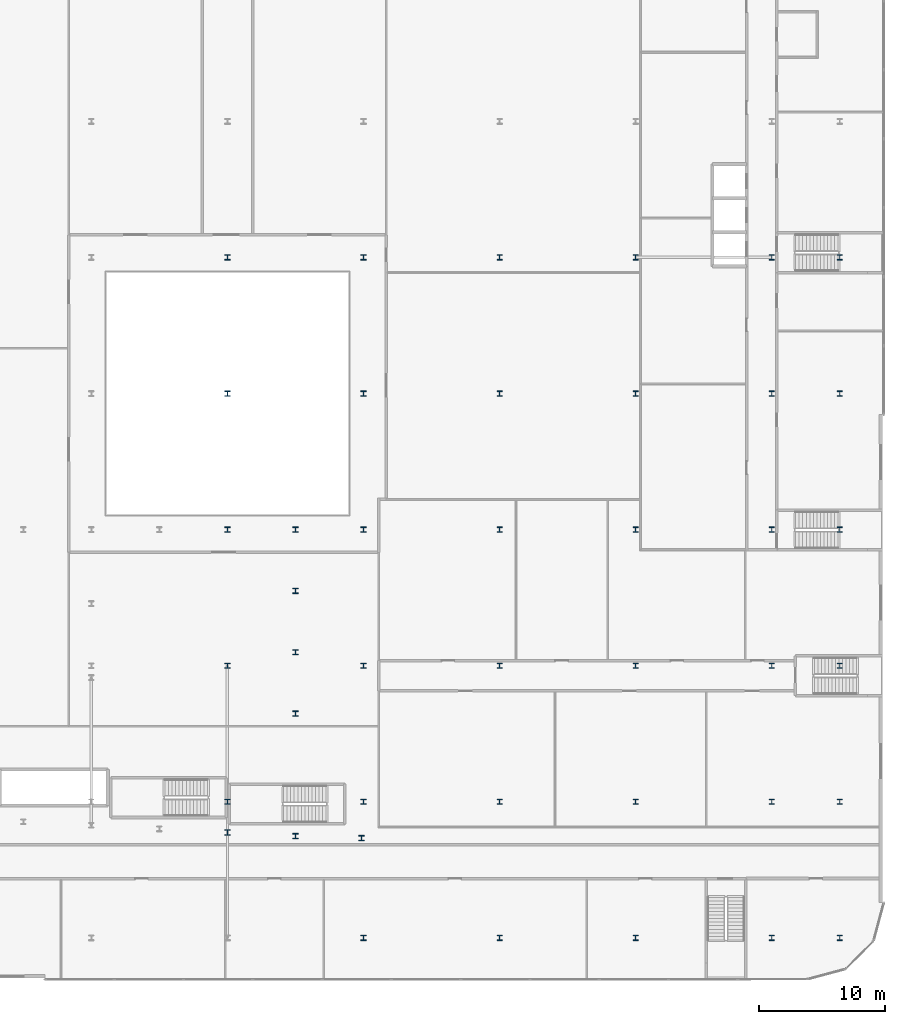
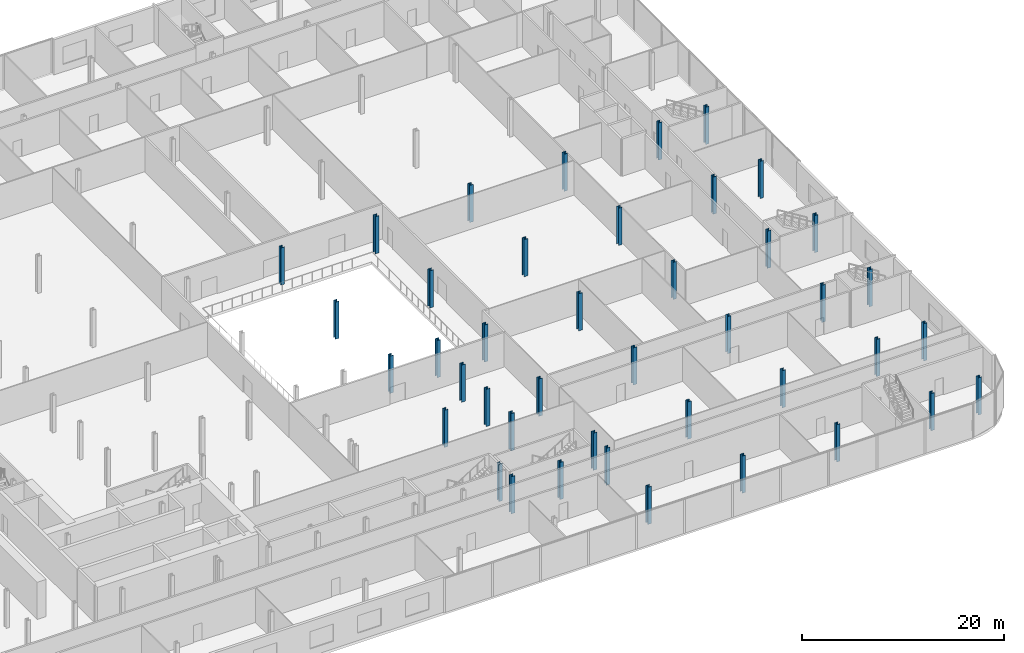
# One storey, part 3 of 47: 42 columns.
"""IFC4 building model written with IfcOpenShell, lengths in metres."""

from ifc_helpers import new_model, si_unit, direction, frame, origin, origin_2d, place, context, subcontext, project, spatial, i_section, extrude, material, material_profile, profile_set, type_object, element, save


model = new_model("IFC4")

# Units and contexts
model_context = context("Model", 3, precision=1e-05, world=origin(), true_north=direction((0.0, 1.0)))
body_context = subcontext(model_context, "Body", "Model", "MODEL_VIEW")
ifc_project = project(units=[si_unit("LENGTHUNIT", "METRE"), si_unit("AREAUNIT", "SQUARE_METRE"), si_unit("VOLUMEUNIT", "CUBIC_METRE"), si_unit("PLANEANGLEUNIT", "RADIAN"), si_unit("MASSUNIT", "GRAM", prefix="KILO")], contexts=[model_context])

# Site, building, storey
site_placement = place(None, origin())
site = spatial("IfcSite", under=ifc_project, at=site_placement, CompositionType="ELEMENT")
building_placement = place(site_placement, origin())
building = spatial("IfcBuilding", under=site, at=building_placement, Name="Kheshtan School and Residences Tower", CompositionType="ELEMENT")
storey_placement = place(building_placement, frame((0.0, 0.0, 12.5)))
storey = spatial("IfcBuildingStorey", under=building, at=storey_placement, Name="L02", CompositionType="ELEMENT", Elevation=12.5)

# Columns
ifc_material = material(Name="Steel ASTM A992 Grade 50", Category="steel")
ifc_material_profile = material_profile(ifc_material, i_section(OverallWidth=0.408935546875, OverallDepth=0.425048828125, WebThickness=0.03271484375, FlangeThickness=0.052490234375, FilletRadius=0.0126953125, at=origin_2d()), Name="W360x421")
ifc_profile_set = profile_set([ifc_material_profile], Name="Steel ASTM A992 Grade 50")
column_type = type_object("IfcColumnType", Name="Column PC2 W360x421 ASTM A992 Grade 50", PredefinedType="COLUMN", material=ifc_profile_set)
for number, where, z_axis, x_axis, name in (
    (1, (90.800048828125, 13.199951171875, 0.0), (0.0, 0.0, 1.0), (1.0, 0.0, 0.0), "Column P-008"),
    (2, (101.60009765625, 13.199951171875, 0.0), (0.0, 0.0, 1.0), (1.0, 0.0, 0.0), "Column P-009"),
    (3, (112.39990234375, 13.199951171875, 0.0), (0.0, 0.0, 1.0), (1.0, 0.0, 0.0), "Column P-010"),
    (4, (123.199951171875, 13.199951171875, 0.0), (0.0, 0.0, 1.0), (1.0, 0.0, 0.0), "Column P-011"),
    (5, (128.60009765625, 13.199951171875, 0.0), (0.0, 0.0, 1.0), (1.0, 0.0, 0.0), "Column P-012"),
    (6, (80.0, 24.0, 0.0), (0.0, 0.0, 1.0), (1.0, 0.0, 0.0), "Column P-019"),
    (7, (90.800048828125, 24.0, 0.0), (0.0, 0.0, 1.0), (1.0, 0.0, 0.0), "Column P-020"),
    (8, (101.60009765625, 24.0, 0.0), (0.0, 0.0, 1.0), (1.0, 0.0, 0.0), "Column P-021"),
    (9, (112.39990234375, 24.0, 0.0), (0.0, 0.0, 1.0), (1.0, 0.0, 0.0), "Column P-022"),
    (10, (123.199951171875, 24.0, 0.0), (0.0, 0.0, 1.0), (1.0, 0.0, 0.0), "Column P-023"),
    (11, (128.60009765625, 24.0, 0.0), (0.0, 0.0, 1.0), (1.0, 0.0, 0.0), "Column P-024"),
    (12, (80.0, 34.800048828125, 0.0), (0.0, 0.0, 1.0), (1.0, 0.0, 0.0), "Column P-031"),
    (13, (90.800048828125, 34.800048828125, 0.0), (0.0, 0.0, 1.0), (1.0, 0.0, 0.0), "Column P-032"),
    (14, (101.60009765625, 34.800048828125, 0.0), (0.0, 0.0, 1.0), (1.0, 0.0, 0.0), "Column P-033"),
    (15, (112.39990234375, 34.800048828125, 0.0), (0.0, 0.0, 1.0), (1.0, 0.0, 0.0), "Column P-034"),
    (16, (123.199951171875, 34.800048828125, 0.0), (0.0, 0.0, 1.0), (1.0, 0.0, 0.0), "Column P-035"),
    (17, (128.60009765625, 34.800048828125, 0.0), (0.0, 0.0, 1.0), (1.0, 0.0, 0.0), "Column P-036"),
    (18, (80.0, 45.60009765625, 0.0), (0.0, 0.0, 1.0), (1.0, 0.0, 0.0), "Column P-043"),
    (19, (90.800048828125, 45.60009765625, 0.0), (0.0, 0.0, 1.0), (1.0, 0.0, 0.0), "Column P-044"),
    (20, (101.60009765625, 45.60009765625, 0.0), (0.0, 0.0, 1.0), (1.0, 0.0, 0.0), "Column P-045"),
    (21, (112.39990234375, 45.60009765625, 0.0), (0.0, 0.0, 1.0), (1.0, 0.0, 0.0), "Column P-046"),
    (22, (123.199951171875, 45.60009765625, 0.0), (0.0, 0.0, 1.0), (1.0, 0.0, 0.0), "Column P-047"),
    (23, (128.60009765625, 45.60009765625, 0.0), (0.0, 0.0, 1.0), (1.0, 0.0, 0.0), "Column P-048"),
    (24, (80.0, 56.39990234375, 0.0), (0.0, 0.0, 1.0), (1.0, 0.0, 0.0), "Column P-055"),
    (25, (90.800048828125, 56.39990234375, 0.0), (0.0, 0.0, 1.0), (1.0, 0.0, 0.0), "Column P-056"),
    (26, (101.60009765625, 56.39990234375, 0.0), (0.0, 0.0, 1.0), (1.0, 0.0, 0.0), "Column P-057"),
    (27, (112.39990234375, 56.39990234375, 0.0), (0.0, 0.0, 1.0), (1.0, 0.0, 0.0), "Column P-058"),
    (28, (123.199951171875, 56.39990234375, 0.0), (0.0, 0.0, 1.0), (1.0, 0.0, 0.0), "Column P-059"),
    (29, (128.60009765625, 56.39990234375, 0.0), (0.0, 0.0, 1.0), (1.0, 0.0, 0.0), "Column P-060"),
    (30, (80.0, 67.199951171875, 0.0), (0.0, 0.0, 1.0), (1.0, 0.0, 0.0), "Column P-067"),
    (31, (90.800048828125, 67.199951171875, 0.0), (0.0, 0.0, 1.0), (1.0, 0.0, 0.0), "Column P-068"),
    (32, (101.60009765625, 67.199951171875, 0.0), (0.0, 0.0, 1.0), (1.0, 0.0, 0.0), "Column P-069"),
    (33, (112.39990234375, 67.199951171875, 0.0), (0.0, 0.0, 1.0), (1.0, 0.0, 0.0), "Column P-070"),
    (34, (123.199951171875, 67.199951171875, 0.0), (0.0, 0.0, 1.0), (1.0, 0.0, 0.0), "Column P-071"),
    (35, (128.60009765625, 67.199951171875, 0.0), (0.0, 0.0, 1.0), (1.0, 0.0, 0.0), "Column P-072"),
    (36, (90.639892578125, 21.110107421875, 0.0), (0.0, 0.0, 1.0), (1.0, 0.0, 0.0), "Transfer column X01"),
    (37, (85.39990234375, 21.27001953125, 0.0), (0.0, 0.0, 1.0), (1.0, 0.0, 0.0), "Transfer column X02"),
    (38, (80.0, 21.56005859375, 0.0), (0.0, 0.0, 1.0), (1.0, 0.0, 0.0), "Transfer column X03"),
    (39, (85.39990234375, 45.60009765625, 0.0), (0.0, 0.0, 1.0), (1.0, 0.0, 0.0), "Transfer column X19"),
    (40, (85.39990234375, 31.0, 0.0), (0.0, 0.0, 1.0), (1.0, 0.0, 0.0), "Transfer column X35"),
    (41, (85.39990234375, 35.8701171875, 0.0), (0.0, 0.0, 1.0), (1.0, 0.0, 0.0), "Transfer column X38"),
    (42, (85.39990234375, 40.72998046875, 0.0), (0.0, 0.0, 1.0), (1.0, 0.0, 0.0), "Transfer column X41"),
):
    element("IfcColumn", number, at=place(storey_placement, frame(where, z_axis=z_axis, x_axis=x_axis)), inside=storey, type_object=column_type, Name=name, PredefinedType="COLUMN", context=body_context, shape_type="SweptSolid", body=[
        extrude(i_section(OverallWidth=0.408935546875, OverallDepth=0.425048828125, WebThickness=0.03271484375, FlangeThickness=0.052490234375, FilletRadius=0.0126953125, at=origin_2d()), origin(), (0.0, 0.0, 1.0), 4.5),
    ])

save(model, "model.ifc")
